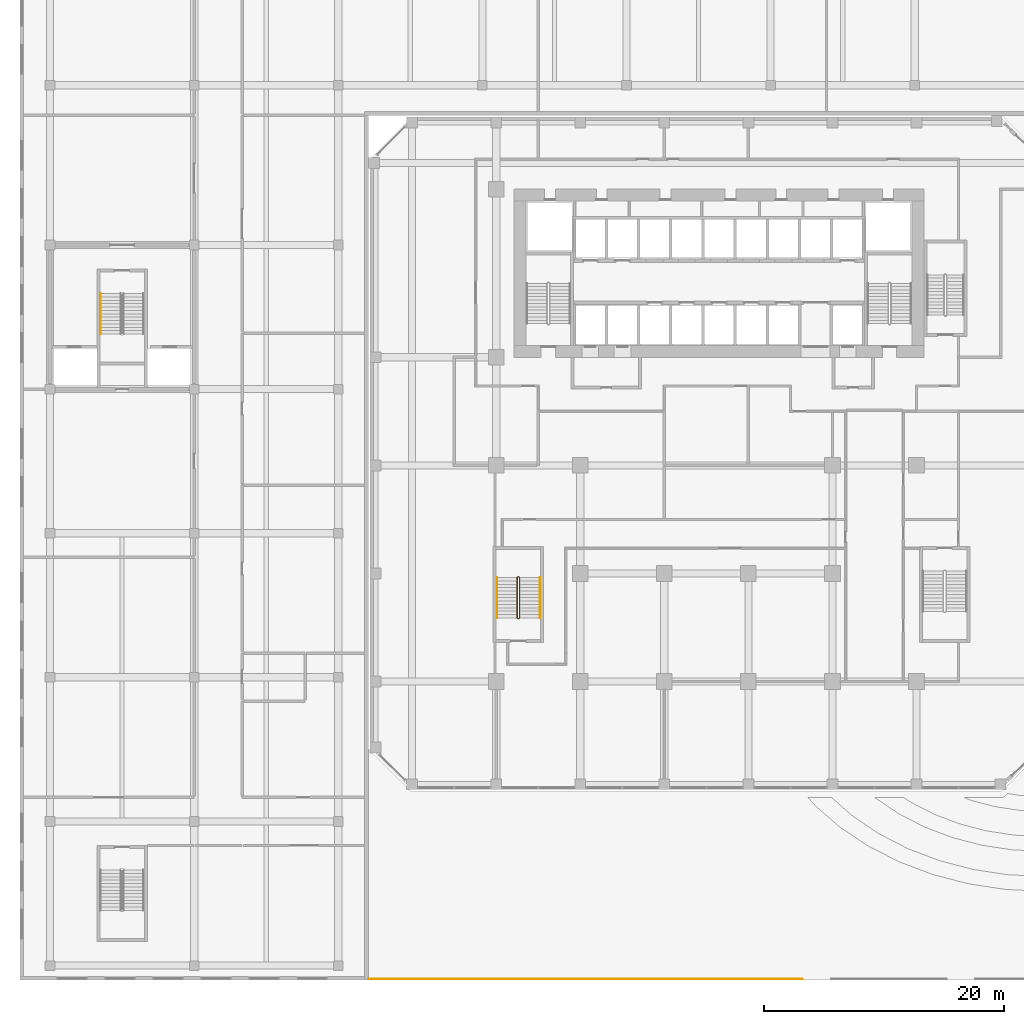
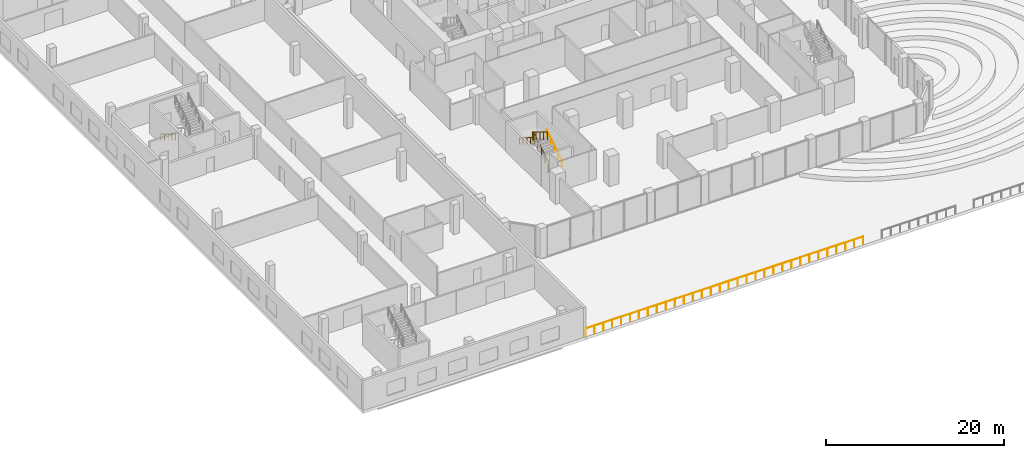
# One storey, part 32 of 38: 5 railings.
"""IFC4 building model written with IfcOpenShell, lengths in metres."""

from ifc_helpers import new_model, si_unit, direction, frame, origin, origin_2d, place, context, subcontext, project, spatial, circle, extrude, material, type_object, element, save


model = new_model("IFC4")

# Units and contexts
model_context = context("Model", 3, precision=1e-05, world=origin(), true_north=direction((0.0, 1.0)))
body_context = subcontext(model_context, "Body", "Model", "MODEL_VIEW")
ifc_project = project(units=[si_unit("LENGTHUNIT", "METRE"), si_unit("AREAUNIT", "SQUARE_METRE"), si_unit("VOLUMEUNIT", "CUBIC_METRE"), si_unit("PLANEANGLEUNIT", "RADIAN"), si_unit("MASSUNIT", "GRAM", prefix="KILO")], contexts=[model_context])

# Site, building, storey
site_placement = place(None, origin())
site = spatial("IfcSite", under=ifc_project, at=site_placement, CompositionType="ELEMENT")
building_placement = place(site_placement, origin())
building = spatial("IfcBuilding", under=site, at=building_placement, Name="Kilnfold Tower and Market Hall", CompositionType="ELEMENT")
storey_placement = place(building_placement, frame((0.0, 0.0, 9.0)))
storey = spatial("IfcBuildingStorey", under=building, at=storey_placement, Name="L01", CompositionType="ELEMENT", Elevation=9.0)

# Railings
ifc_material_1 = material(Name="Stainless steel 316", Category="steel")
railing_type_1 = type_object("IfcRailingType", Name="CORE STAIR GUARD 1100", PredefinedType="GUARDRAIL", material=ifc_material_1)
railing_1_placement = place(storey_placement, frame((-15.699951171875, -13.75, 0.0)))
element("IfcRailing", 1, at=railing_1_placement, inside=storey, type_object=railing_type_1, Name="L01 ST3 stair guard 1", PredefinedType="GUARDRAIL", context=body_context, shape_type="SweptSolid", body=[
    extrude(circle(Radius=0.02392578125, at=origin_2d()), frame((0.0, 0.0, 1.076171875), z_axis=(1.0, 0.0, 0.0), x_axis=(0.0, 1.0, 0.0)), (0.0, 0.0, 1.0), 0.099853515625),
    extrude(circle(Radius=0.02392578125, at=origin_2d()), frame((0.099853515625, 0.0, 1.076171875), z_axis=(0.267629722418, 0.267629722418, 0.925607186314), x_axis=(-0.707106781187, 0.707106781187, 0.0)), (0.0, 0.0, 1.0), 0.18701171875),
    extrude(circle(Radius=0.02392578125, at=origin_2d()), frame((0.14990234375, 0.050048828125, 1.2490234375), z_axis=(0.0, 0.850606129759, 0.525803396734), x_axis=(-1.0, 0.0, 0.0)), (0.0, 0.0, 1.0), 3.949951171875),
    extrude(circle(Radius=0.02392578125, at=origin_2d()), frame((0.14990234375, 3.409912109375, 3.326171875), z_axis=(-0.707106781187, 0.707106781187, 0.0), x_axis=(-0.707106781187, -0.707106781187, 0.0)), (0.0, 0.0, 1.0), 0.07080078125),
    extrude(circle(Radius=0.02392578125, at=origin_2d()), frame((0.099853515625, 3.4599609375, 3.326171875), z_axis=(-1.0, 0.0, 0.0), x_axis=(0.0, -1.0, 0.0)), (0.0, 0.0, 1.0), 0.099853515625),
    extrude(circle(Radius=0.02392578125, at=origin_2d()), frame((0.0, 3.4599609375, 3.326171875), z_axis=(-0.267629722418, -0.267629722418, 0.925607186314), x_axis=(0.707106781187, -0.707106781187, 0.0)), (0.0, 0.0, 1.0), 0.18701171875),
    extrude(circle(Radius=0.02392578125, at=origin_2d()), frame((-0.050048828125, 3.409912109375, 3.4990234375), z_axis=(0.0, -0.850606129759, 0.525803396734), x_axis=(1.0, 0.0, 0.0)), (0.0, 0.0, 1.0), 3.949951171875),
    extrude(circle(Radius=0.02099609375, at=origin_2d()), origin(), (0.0, 0.0, 1.0), 1.052001953125),
    extrude(circle(Radius=0.02099609375, at=origin_2d()), frame((0.099853515625, 0.0, 0.0)), (0.0, 0.0, 1.0), 1.052001953125),
    extrude(circle(Radius=0.02099609375, at=origin_2d()), frame((0.14990234375, 0.050048828125, 0.173095703125)), (0.0, 0.0, 1.0), 1.052001953125),
    extrude(circle(Radius=0.02099609375, at=origin_2d()), frame((0.14990234375, 0.89013671875, 0.6923828125)), (0.0, 0.0, 1.0), 1.052001953125),
    extrude(circle(Radius=0.02099609375, at=origin_2d()), frame((0.14990234375, 1.72998046875, 1.21142578125)), (0.0, 0.0, 1.0), 1.052001953125),
    extrude(circle(Radius=0.02099609375, at=origin_2d()), frame((0.14990234375, 2.56982421875, 1.730712890625)), (0.0, 0.0, 1.0), 1.052001953125),
    extrude(circle(Radius=0.02099609375, at=origin_2d()), frame((0.14990234375, 3.409912109375, 2.25)), (0.0, 0.0, 1.0), 1.052001953125),
    extrude(circle(Radius=0.02099609375, at=origin_2d()), frame((0.099853515625, 3.4599609375, 2.25)), (0.0, 0.0, 1.0), 1.052001953125),
    extrude(circle(Radius=0.02099609375, at=origin_2d()), frame((0.0, 3.4599609375, 2.25)), (0.0, 0.0, 1.0), 1.052001953125),
    extrude(circle(Radius=0.02099609375, at=origin_2d()), frame((-0.050048828125, 3.409912109375, 2.423095703125)), (0.0, 0.0, 1.0), 1.052001953125),
    extrude(circle(Radius=0.02099609375, at=origin_2d()), frame((-0.050048828125, 2.56982421875, 2.9423828125)), (0.0, 0.0, 1.0), 1.052001953125),
    extrude(circle(Radius=0.02099609375, at=origin_2d()), frame((-0.050048828125, 1.72998046875, 3.46142578125)), (0.0, 0.0, 1.0), 1.052001953125),
    extrude(circle(Radius=0.02099609375, at=origin_2d()), frame((-0.050048828125, 0.89013671875, 3.980712890625)), (0.0, 0.0, 1.0), 1.052001953125),
    extrude(circle(Radius=0.02099609375, at=origin_2d()), frame((-0.050048828125, 0.050048828125, 4.5)), (0.0, 0.0, 1.0), 1.052001953125),
])
ifc_material_2 = material(Name="Stainless steel 316", Category="steel")
railing_type_2 = type_object("IfcRailingType", Name="CORE STAIR HANDRAIL 900", PredefinedType="HANDRAIL", material=ifc_material_2)
railing_2_placement = place(storey_placement, frame((-13.85009765625, -13.699951171875, 0.173095703125)))
element("IfcRailing", 2, at=railing_2_placement, inside=storey, type_object=railing_type_2, Name="L01 ST3 stair handrail 1", PredefinedType="HANDRAIL", context=body_context, shape_type="SweptSolid", body=[
    extrude(circle(Radius=0.02392578125, at=origin_2d()), frame((0.0, 0.0, 0.8759765625), z_axis=(0.0, 0.850606129759, 0.525803396734), x_axis=(-1.0, 0.0, 0.0)), (0.0, 0.0, 1.0), 3.949951171875),
    extrude(circle(Radius=0.02099609375, at=origin_2d()), origin(), (0.0, 0.0, 1.0), 0.851806640625),
    extrude(circle(Radius=0.02099609375, at=origin_2d()), frame((0.0, 0.83984375, 0.519287109375)), (0.0, 0.0, 1.0), 0.851806640625),
    extrude(circle(Radius=0.02099609375, at=origin_2d()), frame((0.0, 1.679931640625, 1.03857421875)), (0.0, 0.0, 1.0), 0.851806640625),
    extrude(circle(Radius=0.02099609375, at=origin_2d()), frame((0.0, 2.52001953125, 1.5576171875)), (0.0, 0.0, 1.0), 0.851806640625),
    extrude(circle(Radius=0.02099609375, at=origin_2d()), frame((0.0, 3.35986328125, 2.076904296875)), (0.0, 0.0, 1.0), 0.851806640625),
])
railing_3_placement = place(storey_placement, frame((-17.449951171875, -10.340087890625, 2.423095703125)))
element("IfcRailing", 3, at=railing_3_placement, inside=storey, type_object=railing_type_2, Name="L01 ST3 stair handrail 2", PredefinedType="HANDRAIL", context=body_context, shape_type="SweptSolid", body=[
    extrude(circle(Radius=0.02392578125, at=origin_2d()), frame((0.0, 0.0, 0.8759765625), z_axis=(0.0, -0.850606129759, 0.525803396734), x_axis=(1.0, 0.0, 0.0)), (0.0, 0.0, 1.0), 3.949951171875),
    extrude(circle(Radius=0.02099609375, at=origin_2d()), origin(), (0.0, 0.0, 1.0), 0.851806640625),
    extrude(circle(Radius=0.02099609375, at=origin_2d()), frame((0.0, -0.83984375, 0.519287109375)), (0.0, 0.0, 1.0), 0.851806640625),
    extrude(circle(Radius=0.02099609375, at=origin_2d()), frame((0.0, -1.679931640625, 1.03857421875)), (0.0, 0.0, 1.0), 0.851806640625),
    extrude(circle(Radius=0.02099609375, at=origin_2d()), frame((0.0, -2.52001953125, 1.5576171875)), (0.0, 0.0, 1.0), 0.851806640625),
    extrude(circle(Radius=0.02099609375, at=origin_2d()), frame((0.0, -3.35986328125, 2.076904296875)), (0.0, 0.0, 1.0), 0.851806640625),
])
ifc_material_3 = material(Name="Stainless steel 316", Category="steel")
railing_type_3 = type_object("IfcRailingType", Name="DECK GUARD 1100", PredefinedType="GUARDRAIL", material=ifc_material_3)
railing_4_placement = place(storey_placement, frame((-28.14990234375, -43.75, 0.0)))
element("IfcRailing", 4, at=railing_4_placement, inside=storey, type_object=railing_type_3, Name="Garden deck guard south 1", PredefinedType="GUARDRAIL", context=body_context, shape_type="SweptSolid", body=[
    extrude(circle(Radius=0.02392578125, at=origin_2d()), frame((0.0, 0.0, 1.076171875), z_axis=(1.0, 0.0, 0.0), x_axis=(0.0, 1.0, 0.0)), (0.0, 0.0, 1.0), 36.139892578125),
    extrude(circle(Radius=0.02099609375, at=origin_2d()), origin(), (0.0, 0.0, 1.0), 1.052001953125),
    extrude(circle(Radius=0.02099609375, at=origin_2d()), frame((1.165771484375, 0.0, 0.0)), (0.0, 0.0, 1.0), 1.052001953125),
    extrude(circle(Radius=0.02099609375, at=origin_2d()), frame((2.33154296875, 0.0, 0.0)), (0.0, 0.0, 1.0), 1.052001953125),
    extrude(circle(Radius=0.02099609375, at=origin_2d()), frame((3.497314453125, 0.0, 0.0)), (0.0, 0.0, 1.0), 1.052001953125),
    extrude(circle(Radius=0.02099609375, at=origin_2d()), frame((4.663330078125, 0.0, 0.0)), (0.0, 0.0, 1.0), 1.052001953125),
    extrude(circle(Radius=0.02099609375, at=origin_2d()), frame((5.8291015625, 0.0, 0.0)), (0.0, 0.0, 1.0), 1.052001953125),
    extrude(circle(Radius=0.02099609375, at=origin_2d()), frame((6.994873046875, 0.0, 0.0)), (0.0, 0.0, 1.0), 1.052001953125),
    extrude(circle(Radius=0.02099609375, at=origin_2d()), frame((8.16064453125, 0.0, 0.0)), (0.0, 0.0, 1.0), 1.052001953125),
    extrude(circle(Radius=0.02099609375, at=origin_2d()), frame((9.326416015625, 0.0, 0.0)), (0.0, 0.0, 1.0), 1.052001953125),
    extrude(circle(Radius=0.02099609375, at=origin_2d()), frame((10.4921875, 0.0, 0.0)), (0.0, 0.0, 1.0), 1.052001953125),
    extrude(circle(Radius=0.02099609375, at=origin_2d()), frame((11.657958984375, 0.0, 0.0)), (0.0, 0.0, 1.0), 1.052001953125),
    extrude(circle(Radius=0.02099609375, at=origin_2d()), frame((12.82373046875, 0.0, 0.0)), (0.0, 0.0, 1.0), 1.052001953125),
    extrude(circle(Radius=0.02099609375, at=origin_2d()), frame((13.98974609375, 0.0, 0.0)), (0.0, 0.0, 1.0), 1.052001953125),
    extrude(circle(Radius=0.02099609375, at=origin_2d()), frame((15.155517578125, 0.0, 0.0)), (0.0, 0.0, 1.0), 1.052001953125),
    extrude(circle(Radius=0.02099609375, at=origin_2d()), frame((16.3212890625, 0.0, 0.0)), (0.0, 0.0, 1.0), 1.052001953125),
    extrude(circle(Radius=0.02099609375, at=origin_2d()), frame((17.487060546875, 0.0, 0.0)), (0.0, 0.0, 1.0), 1.052001953125),
    extrude(circle(Radius=0.02099609375, at=origin_2d()), frame((18.65283203125, 0.0, 0.0)), (0.0, 0.0, 1.0), 1.052001953125),
    extrude(circle(Radius=0.02099609375, at=origin_2d()), frame((19.818603515625, 0.0, 0.0)), (0.0, 0.0, 1.0), 1.052001953125),
    extrude(circle(Radius=0.02099609375, at=origin_2d()), frame((20.984375, 0.0, 0.0)), (0.0, 0.0, 1.0), 1.052001953125),
    extrude(circle(Radius=0.02099609375, at=origin_2d()), frame((22.150146484375, 0.0, 0.0)), (0.0, 0.0, 1.0), 1.052001953125),
    extrude(circle(Radius=0.02099609375, at=origin_2d()), frame((23.316162109375, 0.0, 0.0)), (0.0, 0.0, 1.0), 1.052001953125),
    extrude(circle(Radius=0.02099609375, at=origin_2d()), frame((24.48193359375, 0.0, 0.0)), (0.0, 0.0, 1.0), 1.052001953125),
    extrude(circle(Radius=0.02099609375, at=origin_2d()), frame((25.647705078125, 0.0, 0.0)), (0.0, 0.0, 1.0), 1.052001953125),
    extrude(circle(Radius=0.02099609375, at=origin_2d()), frame((26.8134765625, 0.0, 0.0)), (0.0, 0.0, 1.0), 1.052001953125),
    extrude(circle(Radius=0.02099609375, at=origin_2d()), frame((27.979248046875, 0.0, 0.0)), (0.0, 0.0, 1.0), 1.052001953125),
    extrude(circle(Radius=0.02099609375, at=origin_2d()), frame((29.14501953125, 0.0, 0.0)), (0.0, 0.0, 1.0), 1.052001953125),
    extrude(circle(Radius=0.02099609375, at=origin_2d()), frame((30.310791015625, 0.0, 0.0)), (0.0, 0.0, 1.0), 1.052001953125),
    extrude(circle(Radius=0.02099609375, at=origin_2d()), frame((31.4765625, 0.0, 0.0)), (0.0, 0.0, 1.0), 1.052001953125),
    extrude(circle(Radius=0.02099609375, at=origin_2d()), frame((32.642578125, 0.0, 0.0)), (0.0, 0.0, 1.0), 1.052001953125),
    extrude(circle(Radius=0.02099609375, at=origin_2d()), frame((33.808349609375, 0.0, 0.0)), (0.0, 0.0, 1.0), 1.052001953125),
    extrude(circle(Radius=0.02099609375, at=origin_2d()), frame((34.97412109375, 0.0, 0.0)), (0.0, 0.0, 1.0), 1.052001953125),
    extrude(circle(Radius=0.02099609375, at=origin_2d()), frame((36.139892578125, 0.0, 0.0)), (0.0, 0.0, 1.0), 1.052001953125),
])
ifc_material_4 = material(Name="Steel S355", Category="steel")
railing_type_4 = type_object("IfcRailingType", Name="HALL STAIR HANDRAIL", PredefinedType="HANDRAIL", material=ifc_material_4)
railing_5_placement = place(storey_placement, frame((-50.449951171875, 13.300048828125, 0.173095703125)))
element("IfcRailing", 5, at=railing_5_placement, inside=storey, type_object=railing_type_4, Name="L01 MS2 stair handrail 1", PredefinedType="HANDRAIL", context=body_context, shape_type="SweptSolid", body=[
    extrude(circle(Radius=0.02392578125, at=origin_2d()), frame((0.0, 0.0, 0.8759765625), z_axis=(0.0, -0.850623216509, 0.525775754039), x_axis=(1.0, 0.0, 0.0)), (0.0, 0.0, 1.0), 3.9501953125),
    extrude(circle(Radius=0.02099609375, at=origin_2d()), origin(), (0.0, 0.0, 1.0), 0.851806640625),
    extrude(circle(Radius=0.02099609375, at=origin_2d()), frame((0.0, -0.840087890625, 0.519287109375)), (0.0, 0.0, 1.0), 0.851806640625),
    extrude(circle(Radius=0.02099609375, at=origin_2d()), frame((0.0, -1.68017578125, 1.03857421875)), (0.0, 0.0, 1.0), 0.851806640625),
    extrude(circle(Radius=0.02099609375, at=origin_2d()), frame((0.0, -2.52001953125, 1.5576171875)), (0.0, 0.0, 1.0), 0.851806640625),
    extrude(circle(Radius=0.02099609375, at=origin_2d()), frame((0.0, -3.360107421875, 2.076904296875)), (0.0, 0.0, 1.0), 0.851806640625),
])

save(model, "model.ifc")
